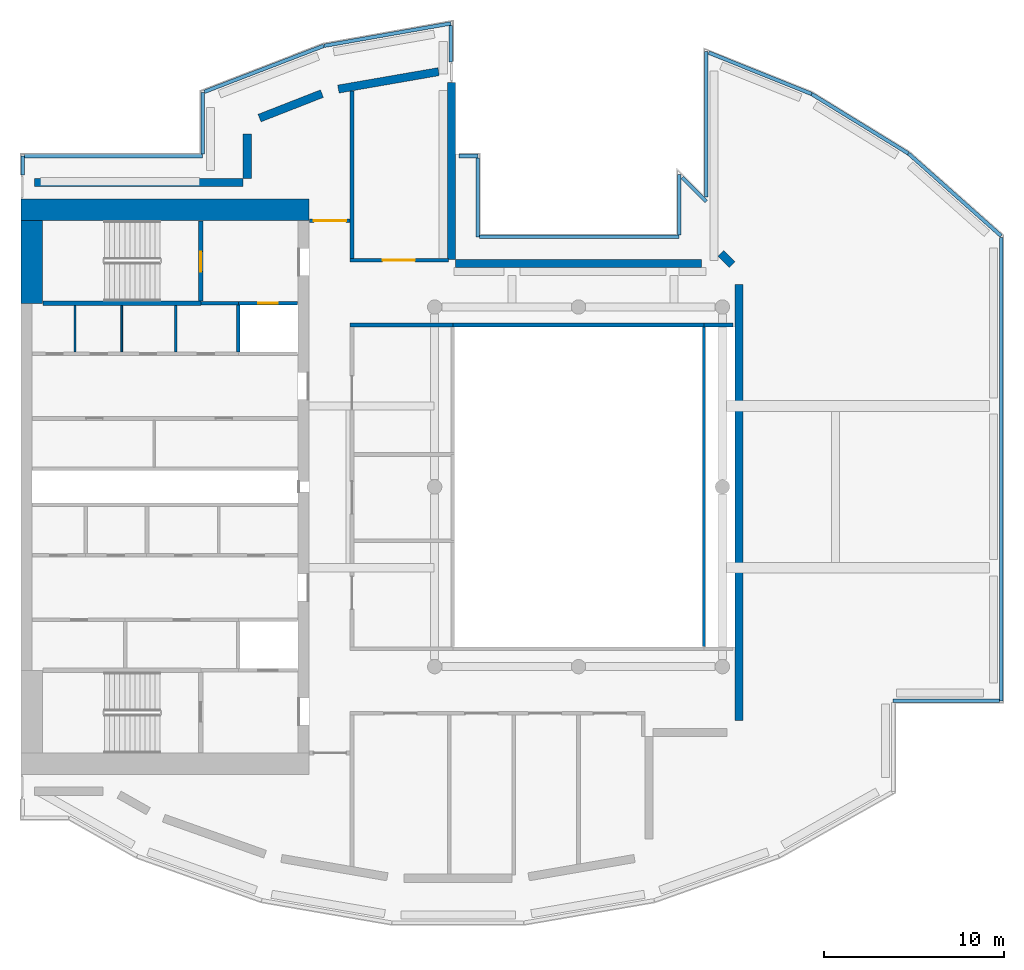
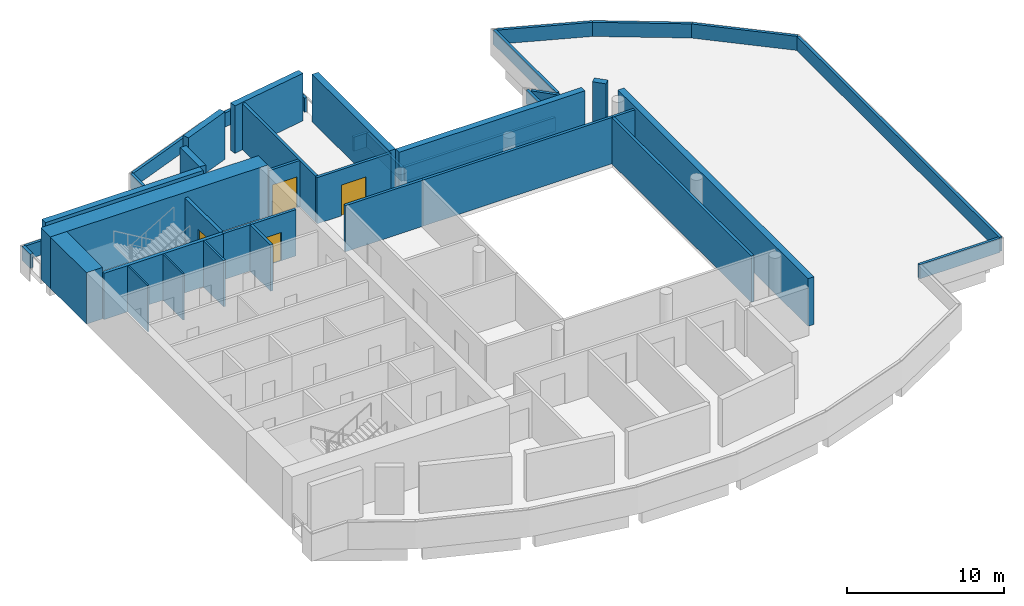
# One storey, part 4 of 8: 42 walls, 4 doors, 4 openings.
"""IFC4 building model written with IfcOpenShell, lengths in metres."""

from ifc_helpers import new_model, si_unit, direction, frame, frame_2d, origin, place, context, subcontext, project, spatial, rectangle, extrude, material, layer, layer_set, type_object, element, fill, save


model = new_model("IFC4")

# Units and contexts
model_context = context("Model", 3, precision=1e-05, world=origin(), true_north=direction((0.0, 1.0)))
body_context = subcontext(model_context, "Body", "Model", "MODEL_VIEW")
ifc_project = project(units=[si_unit("LENGTHUNIT", "METRE"), si_unit("AREAUNIT", "SQUARE_METRE"), si_unit("VOLUMEUNIT", "CUBIC_METRE"), si_unit("PLANEANGLEUNIT", "RADIAN"), si_unit("MASSUNIT", "GRAM", prefix="KILO")], contexts=[model_context])

# Site, building, storey
site_placement = place(None, origin())
site = spatial("IfcSite", under=ifc_project, at=site_placement, CompositionType="ELEMENT")
building_placement = place(site_placement, origin())
building = spatial("IfcBuilding", under=site, at=building_placement, Name="Cypress Arch Tower", CompositionType="ELEMENT")
storey_placement = place(building_placement, frame((0.0, 0.0, 343.0)))
storey = spatial("IfcBuildingStorey", under=building, at=storey_placement, Name="L78", CompositionType="ELEMENT", Elevation=343.0)

# Walls
ifc_material_1 = material(Name="Brick (red buff blend)", Category="masonry")
ifc_layer_1 = layer(ifc_material_1, 0.449951171875)
ifc_layer_set_1 = layer_set([ifc_layer_1], Name="Brick belt wall BW450-B")
wall_type_1 = type_object("IfcWallType", Name="Brick belt wall BW450-B", PredefinedType="SOLIDWALL", material=ifc_layer_set_1)
wall_1_placement = place(storey_placement, frame((9.925048828125, -12.989990234375, 0.0), z_axis=(0.0, 0.0, 1.0), x_axis=(0.0, 1.0, 0.0)))
element("IfcWall", 1, at=wall_1_placement, inside=storey, type_object=wall_type_1, Name="Brick wall L78 K10.0", PredefinedType="SOLIDWALL", context=body_context, shape_type="SweptSolid", body=[
    extrude(rectangle(XDim=24.229248046875, YDim=0.449951171875, at=frame_2d((12.11474609375, 0.0))), origin(), (0.0, 0.0, 1.0), 3.699951171875),
])
wall_2_placement = place(storey_placement, frame((9.541015625, 12.35302734375, 0.0), z_axis=(0.0, 0.0, 1.0), x_axis=(-0.707106781187, 0.707106781187, 0.0)))
element("IfcWall", 2, at=wall_2_placement, inside=storey, type_object=wall_type_1, Name="Brick wall L78 K11.0", PredefinedType="SOLIDWALL", context=body_context, shape_type="SweptSolid", body=[
    extrude(rectangle(XDim=0.8935546875, YDim=0.449951171875, at=frame_2d((0.44677734375, 0.0))), origin(), (0.0, 0.0, 1.0), 3.699951171875),
])
wall_3_placement = place(storey_placement, frame((7.85009765625, 12.425048828125, 0.0), z_axis=(0.0, 0.0, 1.0), x_axis=(-1.0, 0.0, 0.0)))
element("IfcWall", 3, at=wall_3_placement, inside=storey, type_object=wall_type_1, Name="Brick wall L78 K13.0", PredefinedType="SOLIDWALL", context=body_context, shape_type="SweptSolid", body=[
    extrude(rectangle(XDim=13.7001953125, YDim=0.449951171875, at=frame_2d((6.85009765625, 0.0))), origin(), (0.0, 0.0, 1.0), 3.699951171875),
])
wall_4_placement = place(storey_placement, frame((-6.074951171875, 12.64990234375, 0.0), z_axis=(0.0, 0.0, 1.0), x_axis=(0.0, 1.0, 0.0)))
element("IfcWall", 4, at=wall_4_placement, inside=storey, type_object=wall_type_1, Name="Brick wall L78 K14.0", PredefinedType="SOLIDWALL", context=body_context, shape_type="SweptSolid", body=[
    extrude(rectangle(XDim=9.836669921875, YDim=0.449951171875, at=frame_2d((4.91845703125, 0.0))), origin(), (0.0, 0.0, 1.0), 3.699951171875),
])
wall_5_placement = place(storey_placement, frame((-6.781982421875, 23.088134765625, 0.0), z_axis=(0.0, 0.0, 1.0), x_axis=(-0.985240251318, -0.171177239091, 0.0)))
element("IfcWall", 5, at=wall_5_placement, inside=storey, type_object=wall_type_1, Name="Brick wall L78 K15.0", PredefinedType="SOLIDWALL", context=body_context, shape_type="SweptSolid", body=[
    extrude(rectangle(XDim=5.656494140625, YDim=0.449951171875, at=frame_2d((2.828125, 0.0))), origin(), (0.0, 0.0, 1.0), 3.699951171875),
])
wall_6_placement = place(storey_placement, frame((-13.269775390625, 21.865234375, 0.0), z_axis=(0.0, 0.0, 1.0), x_axis=(-0.931207968362, -0.364488298384, 0.0)))
element("IfcWall", 6, at=wall_6_placement, inside=storey, type_object=wall_type_1, Name="Brick wall L78 K16.0", PredefinedType="SOLIDWALL", context=body_context, shape_type="SweptSolid", body=[
    extrude(rectangle(XDim=3.7255859375, YDim=0.449951171875, at=frame_2d((1.86279296875, 0.0))), origin(), (0.0, 0.0, 1.0), 3.699951171875),
])
wall_7_placement = place(storey_placement, frame((-17.425048828125, 19.63525390625, 0.0), z_axis=(0.0, 0.0, 1.0), x_axis=(0.0, -1.0, 0.0)))
element("IfcWall", 7, at=wall_7_placement, inside=storey, type_object=wall_type_1, Name="Brick wall L78 K17.0", PredefinedType="SOLIDWALL", context=body_context, shape_type="SweptSolid", body=[
    extrude(rectangle(XDim=2.4853515625, YDim=0.449951171875, at=frame_2d((1.24267578125, 0.0))), origin(), (0.0, 0.0, 1.0), 3.699951171875),
])
wall_8_placement = place(storey_placement, frame((-17.64990234375, 16.925048828125, 0.0), z_axis=(0.0, 0.0, 1.0), x_axis=(-1.0, 0.0, 0.0)))
element("IfcWall", 8, at=wall_8_placement, inside=storey, type_object=wall_type_1, Name="Brick wall L78 K18.0", PredefinedType="SOLIDWALL", context=body_context, shape_type="SweptSolid", body=[
    extrude(rectangle(XDim=11.60009765625, YDim=0.449951171875, at=frame_2d((5.800048828125, 0.0))), origin(), (0.0, 0.0, 1.0), 3.699951171875),
])
ifc_material_2 = material(Name="Concrete C50/60", Category="concrete")
ifc_layer_2 = layer(ifc_material_2, 1.199951171875)
ifc_layer_set_2 = layer_set([ifc_layer_2], Name="Core wall CW1200 C50/60")
wall_type_2 = type_object("IfcWallType", Name="Core wall CW1200 C50/60", PredefinedType="SHEAR", material=ifc_layer_set_2)
wall_9_placement = place(storey_placement, frame((-30.0, 15.39990234375, 0.0), z_axis=(0.0, 0.0, 1.0), x_axis=(1.0, 0.0, 0.0)))
element("IfcWall", 9, at=wall_9_placement, inside=storey, type_object=wall_type_2, Name="Core wall", PredefinedType="SHEAR", context=body_context, shape_type="SweptSolid", body=[
    extrude(rectangle(XDim=16.0, YDim=1.199951171875, at=frame_2d((8.0, 0.0))), origin(), (0.0, 0.0, 1.0), 4.0),
])
wall_10_placement = place(storey_placement, frame((-29.39990234375, 10.199951171875, 0.0), z_axis=(0.0, 0.0, 1.0), x_axis=(0.0, 1.0, 0.0)))
element("IfcWall", 10, at=wall_10_placement, inside=storey, type_object=wall_type_2, Name="Core wall", PredefinedType="SHEAR", context=body_context, shape_type="SweptSolid", body=[
    extrude(rectangle(XDim=4.60009765625, YDim=1.199951171875, at=frame_2d((2.300048828125, 0.0))), origin(), (0.0, 0.0, 1.0), 4.0),
])
ifc_material_3 = material(Name="Concrete blockwork, plastered, rated", Category="masonry")
ifc_layer_3 = layer(ifc_material_3, 0.199951171875)
ifc_layer_set_3 = layer_set([ifc_layer_3], Name="Corridor wall FW200")
wall_type_3 = type_object("IfcWallType", Name="Corridor wall FW200", PredefinedType="PARTITIONING", material=ifc_layer_set_3)
wall_11_placement = place(storey_placement, frame((-20.0, 10.199951171875, 0.0), z_axis=(0.0, 0.0, 1.0), x_axis=(1.0, 0.0, 0.0)))
element("IfcWall", 11, at=wall_11_placement, inside=storey, type_object=wall_type_3, Name="Corridor wall", PredefinedType="PARTITIONING", context=body_context, shape_type="SweptSolid", body=[
    extrude(rectangle(XDim=2.080078125, YDim=0.199951171875, at=frame_2d((1.0400390625, 0.0))), origin(), (0.0, 0.0, 1.0), 3.597900390625),
])
wall_12_placement = place(storey_placement, frame((-5.97998046875, 9.0, 0.0), z_axis=(0.0, 0.0, 1.0), x_axis=(1.0, 0.0, 0.0)))
element("IfcWall", 12, at=wall_12_placement, inside=storey, type_object=wall_type_3, Name="Corridor wall", PredefinedType="PARTITIONING", context=body_context, shape_type="SweptSolid", body=[
    extrude(rectangle(XDim=13.9599609375, YDim=0.199951171875, at=frame_2d((6.97998046875, 0.0))), origin(), (0.0, 0.0, 1.0), 3.597900390625),
])
ifc_material_4 = material(Name="Blockwork, plastered both sides", Category="masonry")
ifc_layer_4 = layer(ifc_material_4, 0.14990234375)
ifc_layer_set_4 = layer_set([ifc_layer_4], Name="Partition PW150")
wall_type_4 = type_object("IfcWallType", Name="Partition PW150", PredefinedType="PARTITIONING", material=ifc_layer_set_4)
wall_13_placement = place(storey_placement, frame((-21.39990234375, 7.5, 0.0), z_axis=(0.0, 0.0, 1.0), x_axis=(0.0, 1.0, 0.0)))
element("IfcWall", 13, at=wall_13_placement, inside=storey, type_object=wall_type_4, Name="Partition", PredefinedType="PARTITIONING", context=body_context, shape_type="SweptSolid", body=[
    extrude(rectangle(XDim=2.574951171875, YDim=0.14990234375, at=frame_2d((1.28759765625, 0.0))), origin(), (0.0, 0.0, 1.0), 3.597900390625),
])

# Wall, opening, door
ifc_material_5 = material(Name="Reinforced blockwork, plastered, rated", Category="masonry")
ifc_layer_5 = layer(ifc_material_5, 0.199951171875)
ifc_layer_set_5 = layer_set([ifc_layer_5], Name="Plant and riser wall PL200")
wall_type_5 = type_object("IfcWallType", Name="Plant and riser wall PL200", PredefinedType="PARTITIONING", material=ifc_layer_set_5)
wall_14_placement = place(storey_placement, frame((-13.969970703125, 14.800048828125, 0.0), z_axis=(0.0, 0.0, 1.0), x_axis=(1.0, 0.0, 0.0)))
wall_14 = element("IfcWall", 14, at=wall_14_placement, inside=storey, type_object=wall_type_5, Name="Plant and riser wall", PredefinedType="PARTITIONING", context=body_context, shape_type="SweptSolid", body=[
    extrude(rectangle(XDim=2.27001953125, YDim=0.199951171875, at=frame_2d((1.135009765625, 0.0))), origin(), (0.0, 0.0, 1.0), 3.597900390625),
])
opening_1_placement = place(wall_14_placement, frame((0.25, 0.0, 0.0)))
opening_1 = element("IfcOpeningElement", 15, at=opening_1_placement, cuts=wall_14, Name="Opening D09", PredefinedType="OPENING", context=body_context, shape_type="SweptSolid", body=[
    extrude(rectangle(XDim=1.800048828125, YDim=2.39990234375, at=frame_2d((0.89990234375, 1.199951171875))), frame((0.0, 0.10986328125, 0.0), z_axis=(0.0, -1.0, 0.0), x_axis=(1.0, 0.0, 0.0)), (0.0, 0.0, 1.0), 0.219970703125),
])
ifc_material_6 = material(Name="Steel door, fire resisting", Category="steel")
door_type_1 = type_object("IfcDoorType", Name="Plant room door D09 1800x2400", OperationType="DOUBLE_DOOR_SINGLE_SWING", PredefinedType="DOOR", material=ifc_material_6)
door_1_placement = place(opening_1_placement, origin())
door_1 = element("IfcDoor", 16, at=door_1_placement, inside=storey, type_object=door_type_1, Name="Plant room door", OperationType="DOUBLE_DOOR_SINGLE_SWING", OverallHeight=2.39990234375, OverallWidth=1.800048828125, PredefinedType="DOOR", context=body_context, shape_type="SweptSolid", body=[
    extrude(rectangle(XDim=1.800048828125, YDim=2.39990234375, at=frame_2d((0.89990234375, 1.199951171875))), frame((0.0, 0.02490234375, 0.0), z_axis=(0.0, -1.0, 0.0), x_axis=(1.0, 0.0, 0.0)), (0.0, 0.0, 1.0), 0.050048828125),
])
fill(opening_1, door_1)

# Walls
wall_15_placement = place(storey_placement, frame((-11.60009765625, 12.700927734375, 0.0), z_axis=(0.0, 0.0, 1.0), x_axis=(0.0, 1.0, 0.0)))
element("IfcWall", 17, at=wall_15_placement, inside=storey, type_object=wall_type_5, Name="Plant and riser wall", PredefinedType="PARTITIONING", context=body_context, shape_type="SweptSolid", body=[
    extrude(rectangle(XDim=9.32177734375, YDim=0.199951171875, at=frame_2d((4.660888671875, 0.0))), origin(), (0.0, 0.0, 1.0), 3.597900390625),
])
wall_16_placement = place(storey_placement, frame((-11.698974609375, 9.0, 0.0), z_axis=(0.0, 0.0, 1.0), x_axis=(1.0, 0.0, 0.0)))
element("IfcWall", 18, at=wall_16_placement, inside=storey, type_object=wall_type_5, Name="Plant and riser wall", PredefinedType="PARTITIONING", context=body_context, shape_type="SweptSolid", body=[
    extrude(rectangle(XDim=5.718994140625, YDim=0.199951171875, at=frame_2d((2.859375, 0.0))), origin(), (0.0, 0.0, 1.0), 3.597900390625),
])

# Wall, opening, door
wall_17_placement = place(storey_placement, frame((-11.698974609375, 12.60009765625, 0.0), z_axis=(0.0, 0.0, 1.0), x_axis=(1.0, 0.0, 0.0)))
wall_17 = element("IfcWall", 19, at=wall_17_placement, inside=storey, type_object=wall_type_5, Name="Plant and riser wall", PredefinedType="PARTITIONING", context=body_context, shape_type="SweptSolid", body=[
    extrude(rectangle(XDim=5.453857421875, YDim=0.199951171875, at=frame_2d((2.72705078125, 0.0))), origin(), (0.0, 0.0, 1.0), 3.597900390625),
])
opening_2_placement = place(wall_17_placement, frame((1.800048828125, 0.0, 0.0)))
opening_2 = element("IfcOpeningElement", 20, at=opening_2_placement, cuts=wall_17, Name="Opening D09", PredefinedType="OPENING", context=body_context, shape_type="SweptSolid", body=[
    extrude(rectangle(XDim=1.800048828125, YDim=2.39990234375, at=frame_2d((0.89990234375, 1.199951171875))), frame((0.0, 0.10986328125, 0.0), z_axis=(0.0, -1.0, 0.0), x_axis=(1.0, 0.0, 0.0)), (0.0, 0.0, 1.0), 0.219970703125),
])
door_2_placement = place(opening_2_placement, origin())
door_2 = element("IfcDoor", 21, at=door_2_placement, inside=storey, type_object=door_type_1, Name="Plant room door", OperationType="DOUBLE_DOOR_SINGLE_SWING", OverallHeight=2.39990234375, OverallWidth=1.800048828125, PredefinedType="DOOR", context=body_context, shape_type="SweptSolid", body=[
    extrude(rectangle(XDim=1.800048828125, YDim=2.39990234375, at=frame_2d((0.89990234375, 1.199951171875))), frame((0.0, 0.02490234375, 0.0), z_axis=(0.0, -1.0, 0.0), x_axis=(1.0, 0.0, 0.0)), (0.0, 0.0, 1.0), 0.050048828125),
])
fill(opening_2, door_2)

# Walls
wall_18_placement = place(storey_placement, frame((7.97998046875, 9.0, 0.0), z_axis=(0.0, 0.0, 1.0), x_axis=(1.0, 0.0, 0.0)))
element("IfcWall", 22, at=wall_18_placement, inside=storey, type_object=wall_type_5, Name="Plant and riser wall", PredefinedType="PARTITIONING", context=body_context, shape_type="SweptSolid", body=[
    extrude(rectangle(XDim=1.619873046875, YDim=0.199951171875, at=frame_2d((0.81005859375, 0.0))), origin(), (0.0, 0.0, 1.0), 3.597900390625),
])
wall_19_placement = place(storey_placement, frame((8.0, -8.8798828125, 0.0), z_axis=(0.0, 0.0, 1.0), x_axis=(0.0, 1.0, 0.0)))
element("IfcWall", 23, at=wall_19_placement, inside=storey, type_object=wall_type_5, Name="Plant and riser wall", PredefinedType="PARTITIONING", context=body_context, shape_type="SweptSolid", body=[
    extrude(rectangle(XDim=17.759765625, YDim=0.199951171875, at=frame_2d((8.8798828125, 0.0))), origin(), (0.0, 0.0, 1.0), 3.597900390625),
])
ifc_material_7 = material(Name="Concrete C40/50", Category="concrete")
ifc_layer_6 = layer(ifc_material_7, 0.199951171875)
ifc_layer_set_6 = layer_set([ifc_layer_6], Name="Roof parapet 200 Concrete C40/50")
wall_type_6 = type_object("IfcWallType", Name="Roof parapet 200 Concrete C40/50", PredefinedType="SOLIDWALL", material=ifc_layer_set_6)
wall_20_placement = place(storey_placement, frame((6.60009765625, 14.0, 0.0), z_axis=(0.0, 0.0, 1.0), x_axis=(0.0, 1.0, 0.0)))
element("IfcWall", 24, at=wall_20_placement, inside=storey, type_object=wall_type_6, Name="Roof parapet L78 1", PredefinedType="SOLIDWALL", context=body_context, shape_type="SweptSolid", body=[
    extrude(rectangle(XDim=3.3798828125, YDim=0.199951171875, at=frame_2d((1.68994140625, 0.0))), origin(), (0.0, 0.0, 1.0), 1.10009765625),
])
wall_21_placement = place(storey_placement, frame((6.77685546875, 17.203125, 0.0), z_axis=(0.0, 0.0, 1.0), x_axis=(0.707106781187, -0.707106781187, 0.0)))
element("IfcWall", 25, at=wall_21_placement, inside=storey, type_object=wall_type_6, Name="Roof parapet L78 2", PredefinedType="SOLIDWALL", context=body_context, shape_type="SweptSolid", body=[
    extrude(rectangle(XDim=1.871337890625, YDim=0.199951171875, at=frame_2d((0.935546875, 0.0))), origin(), (0.0, 0.0, 1.0), 1.10009765625),
])
wall_22_placement = place(storey_placement, frame((8.10009765625, 16.1298828125, 0.0), z_axis=(0.0, 0.0, 1.0), x_axis=(0.0, 1.0, 0.0)))
element("IfcWall", 26, at=wall_22_placement, inside=storey, type_object=wall_type_6, Name="Roof parapet L78 3", PredefinedType="SOLIDWALL", context=body_context, shape_type="SweptSolid", body=[
    extrude(rectangle(XDim=8.072265625, YDim=0.199951171875, at=frame_2d((4.0361328125, 0.0))), origin(), (0.0, 0.0, 1.0), 1.10009765625),
])
wall_23_placement = place(storey_placement, frame((8.2392578125, 24.146240234375, 0.0), z_axis=(0.0, 0.0, 1.0), x_axis=(0.927934459122, -0.37274339642, 0.0)))
element("IfcWall", 27, at=wall_23_placement, inside=storey, type_object=wall_type_6, Name="Roof parapet L78 4", PredefinedType="SOLIDWALL", context=body_context, shape_type="SweptSolid", body=[
    extrude(rectangle(XDim=6.159423828125, YDim=0.199951171875, at=frame_2d((3.07958984375, 0.0))), origin(), (0.0, 0.0, 1.0), 1.10009765625),
])
wall_24_placement = place(storey_placement, frame((13.971923828125, 21.83984375, 0.0), z_axis=(0.0, 0.0, 1.0), x_axis=(0.851867092044, -0.523758014251, 0.0)))
element("IfcWall", 28, at=wall_24_placement, inside=storey, type_object=wall_type_6, Name="Roof parapet L78 5", PredefinedType="SOLIDWALL", context=body_context, shape_type="SweptSolid", body=[
    extrude(rectangle(XDim=6.3017578125, YDim=0.199951171875, at=frame_2d((3.15087890625, 0.0))), origin(), (0.0, 0.0, 1.0), 1.10009765625),
])
wall_25_placement = place(storey_placement, frame((19.35498046875, 18.526123046875, 0.0), z_axis=(0.0, 0.0, 1.0), x_axis=(0.747575655318, -0.664176662927, 0.0)))
element("IfcWall", 29, at=wall_25_placement, inside=storey, type_object=wall_type_6, Name="Roof parapet L78 6", PredefinedType="SOLIDWALL", context=body_context, shape_type="SweptSolid", body=[
    extrude(rectangle(XDim=6.88232421875, YDim=0.199951171875, at=frame_2d((3.441162109375, 0.0))), origin(), (0.0, 0.0, 1.0), 1.10009765625),
])
wall_26_placement = place(storey_placement, frame((24.5, 13.875, 0.0), z_axis=(0.0, 0.0, 1.0), x_axis=(0.0, -1.0, 0.0)))
element("IfcWall", 30, at=wall_26_placement, inside=storey, type_object=wall_type_6, Name="Roof parapet L78 7", PredefinedType="SOLIDWALL", context=body_context, shape_type="SweptSolid", body=[
    extrude(rectangle(XDim=25.77490234375, YDim=0.199951171875, at=frame_2d((12.887451171875, 0.0))), origin(), (0.0, 0.0, 1.0), 1.10009765625),
])
wall_27_placement = place(storey_placement, frame((24.39990234375, -11.89990234375, 0.0), z_axis=(0.0, 0.0, 1.0), x_axis=(-1.0, 0.0, 0.0)))
element("IfcWall", 31, at=wall_27_placement, inside=storey, type_object=wall_type_6, Name="Roof parapet L78 8", PredefinedType="SOLIDWALL", context=body_context, shape_type="SweptSolid", body=[
    extrude(rectangle(XDim=5.89990234375, YDim=0.199951171875, at=frame_2d((2.949951171875, 0.0))), origin(), (0.0, 0.0, 1.0), 1.10009765625),
])
wall_28_placement = place(storey_placement, frame((-29.89990234375, 17.35009765625, 0.0), z_axis=(0.0, 0.0, 1.0), x_axis=(0.0, 1.0, 0.0)))
element("IfcWall", 32, at=wall_28_placement, inside=storey, type_object=wall_type_6, Name="Roof parapet L78 19", PredefinedType="SOLIDWALL", context=body_context, shape_type="SweptSolid", body=[
    extrude(rectangle(XDim=1.0498046875, YDim=0.199951171875, at=frame_2d((0.52490234375, 0.0))), origin(), (0.0, 0.0, 1.0), 1.10009765625),
])
wall_29_placement = place(storey_placement, frame((-29.800048828125, 18.39990234375, 0.0), z_axis=(0.0, 0.0, 1.0), x_axis=(1.0, 0.0, 0.0)))
element("IfcWall", 33, at=wall_29_placement, inside=storey, type_object=wall_type_6, Name="Roof parapet L78 20", PredefinedType="SOLIDWALL", context=body_context, shape_type="SweptSolid", body=[
    extrude(rectangle(XDim=9.900146484375, YDim=0.199951171875, at=frame_2d((4.9501953125, 0.0))), origin(), (0.0, 0.0, 1.0), 1.10009765625),
])
wall_30_placement = place(storey_placement, frame((-19.89990234375, 18.5, 0.0), z_axis=(0.0, 0.0, 1.0), x_axis=(0.0, 1.0, 0.0)))
element("IfcWall", 34, at=wall_30_placement, inside=storey, type_object=wall_type_6, Name="Roof parapet L78 21", PredefinedType="SOLIDWALL", context=body_context, shape_type="SweptSolid", body=[
    extrude(rectangle(XDim=3.431396484375, YDim=0.199951171875, at=frame_2d((1.7158203125, 0.0))), origin(), (0.0, 0.0, 1.0), 1.10009765625),
])
wall_31_placement = place(storey_placement, frame((-19.806640625, 21.96728515625, 0.0), z_axis=(0.0, 0.0, 1.0), x_axis=(0.933131239416, 0.359535937045, 0.0)))
element("IfcWall", 35, at=wall_31_placement, inside=storey, type_object=wall_type_6, Name="Roof parapet L78 22", PredefinedType="SOLIDWALL", context=body_context, shape_type="SweptSolid", body=[
    extrude(rectangle(XDim=7.10888671875, YDim=0.199951171875, at=frame_2d((3.554443359375, 0.0))), origin(), (0.0, 0.0, 1.0), 1.10009765625),
])
wall_32_placement = place(storey_placement, frame((-13.1533203125, 24.526611328125, 0.0), z_axis=(0.0, 0.0, 1.0), x_axis=(0.984796596346, 0.173711438386, 0.0)))
element("IfcWall", 36, at=wall_32_placement, inside=storey, type_object=wall_type_6, Name="Roof parapet L78 23", PredefinedType="SOLIDWALL", context=body_context, shape_type="SweptSolid", body=[
    extrude(rectangle(XDim=7.162109375, YDim=0.199951171875, at=frame_2d((3.5810546875, 0.0))), origin(), (0.0, 0.0, 1.0), 1.10009765625),
])
wall_33_placement = place(storey_placement, frame((-6.10009765625, 25.65087890625, 0.0), z_axis=(0.0, 0.0, 1.0), x_axis=(0.0, -1.0, 0.0)))
element("IfcWall", 37, at=wall_33_placement, inside=storey, type_object=wall_type_6, Name="Roof parapet L78 24", PredefinedType="SOLIDWALL", context=body_context, shape_type="SweptSolid", body=[
    extrude(rectangle(XDim=2.012939453125, YDim=0.199951171875, at=frame_2d((1.00634765625, 0.0))), origin(), (0.0, 0.0, 1.0), 1.10009765625),
])
wall_34_placement = place(storey_placement, frame((-5.64990234375, 18.39990234375, 0.0), z_axis=(0.0, 0.0, 1.0), x_axis=(1.0, 0.0, 0.0)))
element("IfcWall", 38, at=wall_34_placement, inside=storey, type_object=wall_type_6, Name="Roof parapet L78 25", PredefinedType="SOLIDWALL", context=body_context, shape_type="SweptSolid", body=[
    extrude(rectangle(XDim=1.0498046875, YDim=0.199951171875, at=frame_2d((0.52490234375, 0.0))), origin(), (0.0, 0.0, 1.0), 1.10009765625),
])
wall_35_placement = place(storey_placement, frame((-4.60009765625, 18.300048828125, 0.0), z_axis=(0.0, 0.0, 1.0), x_axis=(0.0, -1.0, 0.0)))
element("IfcWall", 39, at=wall_35_placement, inside=storey, type_object=wall_type_6, Name="Roof parapet L78 26", PredefinedType="SOLIDWALL", context=body_context, shape_type="SweptSolid", body=[
    extrude(rectangle(XDim=4.400146484375, YDim=0.199951171875, at=frame_2d((2.2001953125, 0.0))), origin(), (0.0, 0.0, 1.0), 1.10009765625),
])
wall_36_placement = place(storey_placement, frame((-4.5, 13.89990234375, 0.0), z_axis=(0.0, 0.0, 1.0), x_axis=(1.0, 0.0, 0.0)))
element("IfcWall", 40, at=wall_36_placement, inside=storey, type_object=wall_type_6, Name="Roof parapet L78 27", PredefinedType="SOLIDWALL", context=body_context, shape_type="SweptSolid", body=[
    extrude(rectangle(XDim=11.10009765625, YDim=0.199951171875, at=frame_2d((5.550048828125, 0.0))), origin(), (0.0, 0.0, 1.0), 1.10009765625),
])
ifc_material_8 = material(Name="Concrete C50/60", Category="concrete")
ifc_layer_7 = layer(ifc_material_8, 0.199951171875)
ifc_layer_set_7 = layer_set([ifc_layer_7], Name="Shaft wall SH200")
wall_type_7 = type_object("IfcWallType", Name="Shaft wall SH200", PredefinedType="SHEAR", material=ifc_layer_set_7)
wall_37_placement = place(storey_placement, frame((-17.919921875, 7.5, 0.0), z_axis=(0.0, 0.0, 1.0), x_axis=(0.0, 1.0, 0.0)))
element("IfcWall", 41, at=wall_37_placement, inside=storey, type_object=wall_type_7, Name="Shaft wall", PredefinedType="SHEAR", context=body_context, shape_type="SweptSolid", body=[
    extrude(rectangle(XDim=2.60009765625, YDim=0.199951171875, at=frame_2d((1.300048828125, 0.0))), origin(), (0.0, 0.0, 1.0), 3.597900390625),
])

# Wall, opening, door
wall_38_placement = place(storey_placement, frame((-17.919921875, 10.199951171875, 0.0), z_axis=(0.0, 0.0, 1.0), x_axis=(1.0, 0.0, 0.0)))
wall_38 = element("IfcWall", 42, at=wall_38_placement, inside=storey, type_object=wall_type_7, Name="Shaft wall", PredefinedType="SHEAR", context=body_context, shape_type="SweptSolid", body=[
    extrude(rectangle(XDim=3.2900390625, YDim=0.199951171875, at=frame_2d((1.64501953125, 0.0))), origin(), (0.0, 0.0, 1.0), 3.597900390625),
])
opening_3_placement = place(wall_38_placement, frame((1.10009765625, 0.0, 0.0)))
opening_3 = element("IfcOpeningElement", 43, at=opening_3_placement, cuts=wall_38, Name="Opening LD-FL2", PredefinedType="OPENING", context=body_context, shape_type="SweptSolid", body=[
    extrude(rectangle(XDim=1.10009765625, YDim=2.199951171875, at=frame_2d((0.550048828125, 1.10009765625))), frame((0.0, 0.10986328125, 0.0), z_axis=(0.0, -1.0, 0.0), x_axis=(1.0, 0.0, 0.0)), (0.0, 0.0, 1.0), 0.219970703125),
])
ifc_material_9 = material(Name="Stainless steel centre-opening landing door, rated", Category="steel")
door_type_2 = type_object("IfcDoorType", Name="Lift landing door LD 1100x2200", OperationType="DOUBLE_DOOR_SLIDING", PredefinedType="DOOR", material=ifc_material_9)
door_3_placement = place(opening_3_placement, origin())
door_3 = element("IfcDoor", 44, at=door_3_placement, inside=storey, type_object=door_type_2, Name="Lift landing doors FL2", OperationType="DOUBLE_DOOR_SLIDING", OverallHeight=2.199951171875, OverallWidth=1.10009765625, PredefinedType="DOOR", context=body_context, shape_type="SweptSolid", body=[
    extrude(rectangle(XDim=1.10009765625, YDim=2.199951171875, at=frame_2d((0.550048828125, 1.10009765625))), frame((0.0, 0.02490234375, 0.0), z_axis=(0.0, -1.0, 0.0), x_axis=(1.0, 0.0, 0.0)), (0.0, 0.0, 1.0), 0.050048828125),
])
fill(opening_3, door_3)

# Wall
ifc_material_10 = material(Name="Concrete C50/60", Category="concrete")
ifc_layer_8 = layer(ifc_material_10, 0.25)
ifc_layer_set_8 = layer_set([ifc_layer_8], Name="Stair enclosure wall SW250")
wall_type_8 = type_object("IfcWallType", Name="Stair enclosure wall SW250", PredefinedType="SHEAR", material=ifc_layer_set_8)
wall_39_placement = place(storey_placement, frame((-28.77001953125, 10.199951171875, 0.0), z_axis=(0.0, 0.0, 1.0), x_axis=(1.0, 0.0, 0.0)))
element("IfcWall", 45, at=wall_39_placement, inside=storey, type_object=wall_type_8, Name="Stair enclosure wall", PredefinedType="SHEAR", context=body_context, shape_type="SweptSolid", body=[
    extrude(rectangle(XDim=8.77001953125, YDim=0.25, at=frame_2d((4.385009765625, 0.0))), origin(), (0.0, 0.0, 1.0), 3.597900390625),
])

# Wall, opening, door
wall_40_placement = place(storey_placement, frame((-20.0, 10.324951171875, 0.0), z_axis=(0.0, 0.0, 1.0), x_axis=(0.0, 1.0, 0.0)))
wall_40 = element("IfcWall", 46, at=wall_40_placement, inside=storey, type_object=wall_type_8, Name="Stair enclosure wall", PredefinedType="SHEAR", context=body_context, shape_type="SweptSolid", body=[
    extrude(rectangle(XDim=4.445068359375, YDim=0.25, at=frame_2d((2.22265625, 0.0))), origin(), (0.0, 0.0, 1.0), 3.597900390625),
])
opening_4_placement = place(wall_40_placement, frame((1.64990234375, 0.0, 0.0)))
opening_4 = element("IfcOpeningElement", 47, at=opening_4_placement, cuts=wall_40, Name="Opening D06", PredefinedType="OPENING", context=body_context, shape_type="SweptSolid", body=[
    extrude(rectangle(XDim=1.10009765625, YDim=2.199951171875, at=frame_2d((0.550048828125, 1.10009765625))), frame((0.0, 0.135009765625, 0.0), z_axis=(0.0, -1.0, 0.0), x_axis=(1.0, 0.0, 0.0)), (0.0, 0.0, 1.0), 0.27001953125),
])
ifc_material_11 = material(Name="Steel door, fire resisting, panic bar", Category="steel")
door_type_3 = type_object("IfcDoorType", Name="Stair door D06 1100x2200", OperationType="SINGLE_SWING_LEFT", PredefinedType="DOOR", material=ifc_material_11)
door_4_placement = place(opening_4_placement, origin())
door_4 = element("IfcDoor", 48, at=door_4_placement, inside=storey, type_object=door_type_3, Name="Stair door", OperationType="SINGLE_SWING_LEFT", OverallHeight=2.199951171875, OverallWidth=1.10009765625, PredefinedType="DOOR", context=body_context, shape_type="SweptSolid", body=[
    extrude(rectangle(XDim=1.10009765625, YDim=2.199951171875, at=frame_2d((0.550048828125, 1.10009765625))), frame((0.0, 0.02490234375, 0.0), z_axis=(0.0, -1.0, 0.0), x_axis=(1.0, 0.0, 0.0)), (0.0, 0.0, 1.0), 0.050048828125),
])
fill(opening_4, door_4)

# Walls
ifc_material_12 = material(Name="Moisture resistant board on steel studs, tiled", Category="steel")
ifc_layer_9 = layer(ifc_material_12, 0.10009765625)
ifc_layer_set_9 = layer_set([ifc_layer_9], Name="Wet wall PW100")
wall_type_9 = type_object("IfcWallType", Name="Wet wall PW100", PredefinedType="PARTITIONING", material=ifc_layer_set_9)
for number, where, z_axis, x_axis, name in (
    (49, (-27.0, 7.5, 0.0), (0.0, 0.0, 1.0), (0.0, 1.0, 0.0), "Wet wall"),
    (50, (-24.39990234375, 7.5, 0.0), (0.0, 0.0, 1.0), (0.0, 1.0, 0.0), "Wet wall"),
):
    element("IfcWall", number, at=place(storey_placement, frame(where, z_axis=z_axis, x_axis=x_axis)), inside=storey, type_object=wall_type_9, Name=name, PredefinedType="PARTITIONING", context=body_context, shape_type="SweptSolid", body=[
        extrude(rectangle(XDim=2.574951171875, YDim=0.10009765625, at=frame_2d((1.28759765625, 0.0))), origin(), (0.0, 0.0, 1.0), 3.597900390625),
    ])

save(model, "model.ifc")
